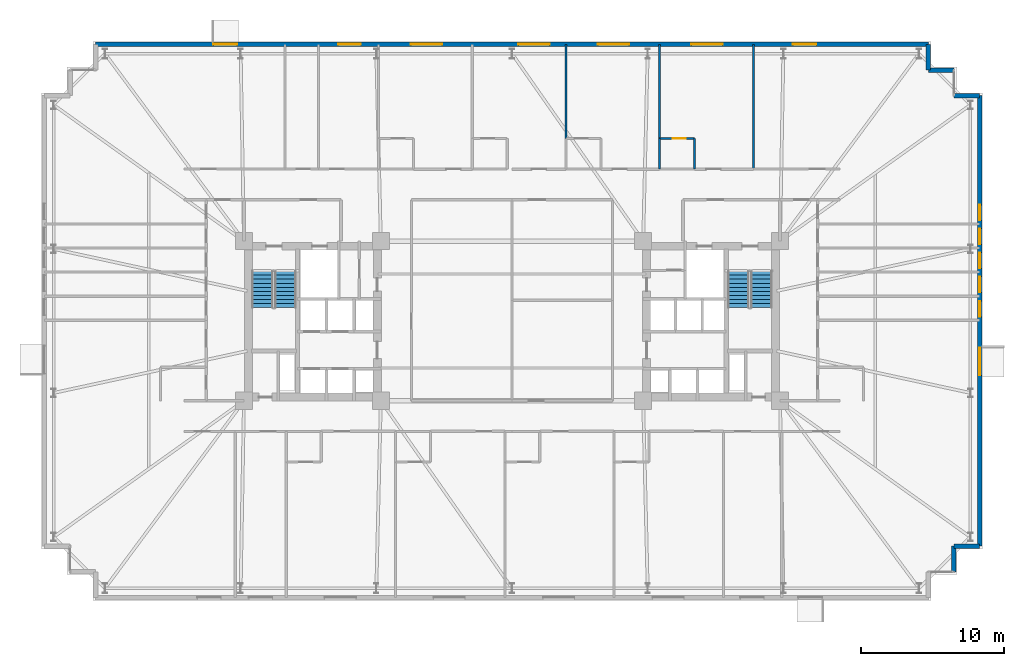
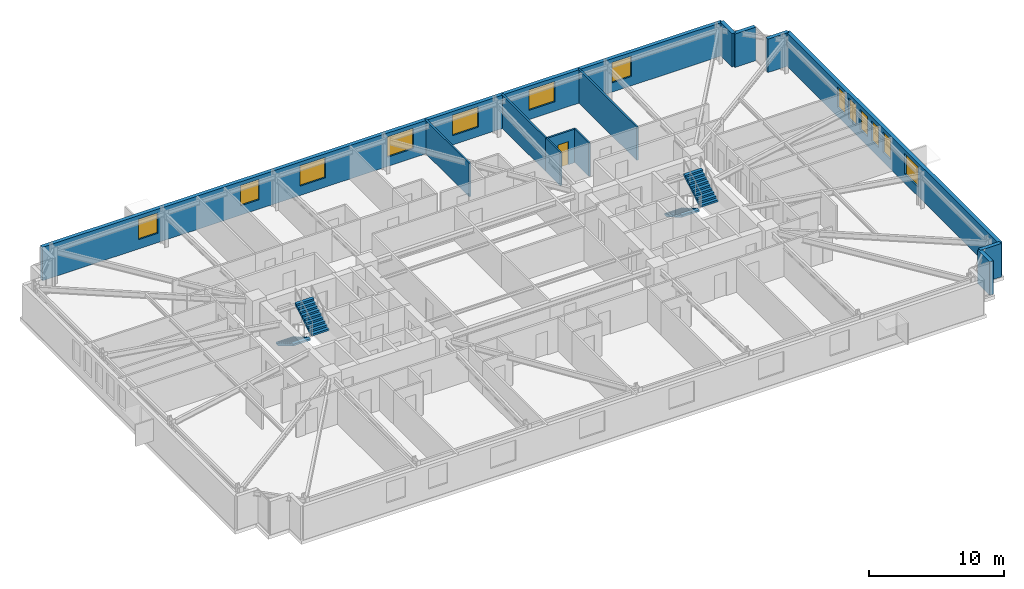
# One storey, part 19 of 21: 13 walls, 13 windows, 4 stair flights, 1 door, 14 openings, 2 elements without a shape of their own.
"""IFC4 building model written with IfcOpenShell, lengths in metres."""

import ifcopenshell
import ifcopenshell.guid

model = None  # the IFC model being written
_history = None  # IfcOwnerHistory: only IFC2X3 demands one
_inside = {}  # id of a spatial element -> (the spatial element, [elements in it])
_under = {}  # id of a project, library or spatial element -> (it, [spatial elements below it])
_declared = {}  # id of a project -> (the project, [libraries it declares])
_typed = {}  # id of a type object -> (the type object, [elements of that type])
_made_of = {}  # id of a material, layer set ... -> (it, [elements and type objects made of it])


def new_model(schema):
    """Start an empty IFC model of exactly this schema.

    Asked for "IFC4X3", IfcOpenShell would pick the latest addendum, in which some entities
    have other attributes; the version numbers below select the first issue.
    IFC2X3 requires an IfcOwnerHistory on every rooted entity: one is made here for all.
    """
    global model, _history
    if schema == "IFC4X3":
        model = ifcopenshell.file(schema_version=(4, 3, 0, 0))
    else:
        model = ifcopenshell.file(schema=schema)
    _inside.clear()
    _under.clear()
    _declared.clear()
    _typed.clear()
    _made_of.clear()
    _history = None
    if model.schema == "IFC2X3":
        org = make("IfcOrganization", Name="unknown")
        user = make(
            "IfcPersonAndOrganization",
            ThePerson=make("IfcPerson", FamilyName="unknown"),
            TheOrganization=org,
        )
        app = make(
            "IfcApplication",
            ApplicationDeveloper=org,
            Version="unknown",
            ApplicationFullName="unknown",
            ApplicationIdentifier="unknown",
        )
        _history = make(
            "IfcOwnerHistory",
            OwningUser=user,
            OwningApplication=app,
            ChangeAction="ADDED",
            CreationDate=0,
        )
    return model


def make(cls, **values):
    """One entity of the class cls with the attributes given. An attribute that is None is left unset."""
    return model.create_entity(
        cls, **{name: value for name, value in values.items() if value is not None}
    )


def rooted(cls, **values):
    """An entity with a GlobalId (a new one), such as an element, a storey or a relation."""
    return make(cls, GlobalId=ifcopenshell.guid.new(), OwnerHistory=_history, **values)


def si_unit(unit_type, name, prefix=None):
    """IfcSIUnit, for example si_unit("LENGTHUNIT", "METRE", prefix="MILLI")."""
    return make("IfcSIUnit", UnitType=unit_type, Prefix=prefix, Name=name)


def assignment(units):
    """IfcUnitAssignment: the units of a project."""
    return None if units is None else make("IfcUnitAssignment", Units=units)


def point(xyz):
    """IfcCartesianPoint."""
    return None if xyz is None else make("IfcCartesianPoint", Coordinates=xyz)


def direction(xyz):
    """IfcDirection."""
    return None if xyz is None else make("IfcDirection", DirectionRatios=xyz)


def frame(location, z_axis=None, x_axis=None):
    """IfcAxis2Placement3D, a coordinate frame: its origin and axes. An axis left out is left unset."""
    return make(
        "IfcAxis2Placement3D",
        Location=point(location),
        Axis=direction(z_axis),
        RefDirection=direction(x_axis),
    )


def frame_2d(location, x_axis=None):
    """IfcAxis2Placement2D, a coordinate frame in the plane: its origin and x axis."""
    return make(
        "IfcAxis2Placement2D", Location=point(location), RefDirection=direction(x_axis)
    )


def origin():
    """The frame at (0, 0, 0) with its axes left unset."""
    return frame((0.0, 0.0, 0.0))


def place(relative_to, where):
    """IfcLocalPlacement: puts the frame where relative to a parent placement (None: the world)."""
    return make(
        "IfcLocalPlacement", PlacementRelTo=relative_to, RelativePlacement=where
    )


def context(
    kind, dimensions, precision=None, world=None, true_north=None, identifier=None
):
    """IfcGeometricRepresentationContext, for example the 3D "Model" context."""
    return make(
        "IfcGeometricRepresentationContext",
        ContextIdentifier=identifier,
        ContextType=kind,
        CoordinateSpaceDimension=dimensions,
        Precision=precision,
        WorldCoordinateSystem=world,
        TrueNorth=true_north,
    )


def subcontext(parent, identifier, kind, view, scale=None):
    """IfcGeometricRepresentationSubContext, for example "Body" below "Model"."""
    return make(
        "IfcGeometricRepresentationSubContext",
        ContextIdentifier=identifier,
        ContextType=kind,
        ParentContext=parent,
        TargetScale=scale,
        TargetView=view,
    )


def project(units=None, contexts=None):
    """IfcProject with its units and contexts."""
    return rooted(
        "IfcProject",
        Name="project",
        RepresentationContexts=contexts,
        UnitsInContext=assignment(units),
    )


def spatial(cls, under=None, at=None, **own):
    """A site, building, storey or space (cls), placed at a placement, below another one or the project."""
    s = rooted(cls, ObjectPlacement=at, **own)
    if under is not None:
        _under.setdefault(under.id(), (under, []))[1].append(s)
    return s


def polyline(points):
    """IfcPolyline through the points."""
    return make("IfcPolyline", Points=[point(p) for p in points])


def profile(cls, at=None, kind="AREA", **sizes):
    """A parametric profile (cls). Its sizes go by their IFC names, for example OverallWidth=200.0."""
    return make(cls, ProfileType=kind, Position=at, **sizes)


def rectangle(**sizes):
    """IfcRectangleProfileDef."""
    return profile("IfcRectangleProfileDef", **sizes)


def outline(outer, holes=None, kind="AREA"):
    """IfcArbitraryClosedProfileDef: a profile drawn as a closed curve; with holes, ...WithVoids."""
    if holes is None:
        return make("IfcArbitraryClosedProfileDef", ProfileType=kind, OuterCurve=outer)
    return make(
        "IfcArbitraryProfileDefWithVoids",
        ProfileType=kind,
        OuterCurve=outer,
        InnerCurves=holes,
    )


def extrude(swept, where, along, depth):
    """IfcExtrudedAreaSolid: the profile swept, set in the frame where, extruded along a direction by depth."""
    return make(
        "IfcExtrudedAreaSolid",
        SweptArea=swept,
        Position=where,
        ExtrudedDirection=direction(along),
        Depth=depth,
    )


def shape(context_of_items, identifier, shape_type, items):
    """IfcShapeRepresentation: the items that make up one representation, for example the "Body"."""
    return make(
        "IfcShapeRepresentation",
        ContextOfItems=context_of_items,
        RepresentationIdentifier=identifier,
        RepresentationType=shape_type,
        Items=items,
    )


def material(Name=None, Category=None):
    """IfcMaterial."""
    return make("IfcMaterial", Name=Name, Category=Category)


def layer(
    of_material, thickness, ventilated=None, Name=None, Category=None, Priority=None
):
    """IfcMaterialLayer: one layer of a wall or slab, of a material (None: an air gap)."""
    return make(
        "IfcMaterialLayer",
        Material=of_material,
        LayerThickness=thickness,
        IsVentilated=ventilated,
        Name=Name,
        Category=Category,
        Priority=Priority,
    )


def layer_set(layers, Name=None):
    """IfcMaterialLayerSet."""
    return make("IfcMaterialLayerSet", MaterialLayers=layers, LayerSetName=Name)


def made_of(thing, what):
    """Note that an element or type object is made of a material, layer set ...; save() writes the relation."""
    if what is not None:
        _made_of.setdefault(what.id(), (what, []))[1].append(thing)
    return thing


def type_object(cls, material=None, **own):
    """A type object (cls), such as IfcWallType, which elements share."""
    return made_of(rooted(cls, **own), material)


def element(
    cls,
    number,
    at=None,
    inside=None,
    cuts=None,
    type_object=None,
    material=None,
    context=None,
    identifier="Body",
    shape_type=None,
    held_by="IfcProductDefinitionShape",
    body=None,
    shapes=None,
    **own,
):
    """One element of the class cls, such as IfcWall. Its Tag is "e" and its number.

    at: its placement. inside: the storey or other place that contains it. cuts: it is an
    opening in that element (IfcRelVoidsElement). A single representation is given by context,
    identifier, shape_type and body (its items); several are given by shapes. held_by: the class
    of the entity that holds the representations. save() writes the other relations.
    """
    e = rooted(cls, Tag="e%d" % number, ObjectPlacement=at, **own)
    if body is not None:
        shapes = [shape(context, identifier, shape_type, body)]
    if shapes is not None:
        e.Representation = make(held_by, Representations=shapes)
    if inside is not None:
        _inside.setdefault(inside.id(), (inside, []))[1].append(e)
    if cuts is not None:
        rooted(
            "IfcRelVoidsElement", RelatingBuildingElement=cuts, RelatedOpeningElement=e
        )
    if type_object is not None:
        _typed.setdefault(type_object.id(), (type_object, []))[1].append(e)
    return made_of(e, material)


def fill(opening, filler):
    """IfcRelFillsElement: the door or window that sits in an opening."""
    return rooted(
        "IfcRelFillsElement",
        RelatingOpeningElement=opening,
        RelatedBuildingElement=filler,
    )


def aggregate(whole, parts):
    """IfcRelAggregates: a whole, such as a stair, and the parts it consists of."""
    return rooted("IfcRelAggregates", RelatingObject=whole, RelatedObjects=parts)


def save(model, path):
    """Write the relations noted so far, then the file.

    IfcRelAggregates (storeys below a building ...), IfcRelContainedInSpatialStructure (elements
    in a storey), IfcRelDefinesByType, IfcRelAssociatesMaterial and IfcRelDeclares: one each for
    every whole, place, type object, material and project.
    """
    for whole, parts in _under.values():
        aggregate(whole, parts)
    for where, things in _inside.values():
        rooted(
            "IfcRelContainedInSpatialStructure",
            RelatedElements=things,
            RelatingStructure=where,
        )
    for kind, things in _typed.values():
        rooted("IfcRelDefinesByType", RelatedObjects=things, RelatingType=kind)
    for what, things in _made_of.values():
        rooted("IfcRelAssociatesMaterial", RelatedObjects=things, RelatingMaterial=what)
    for by, libraries in _declared.values():
        rooted("IfcRelDeclares", RelatingContext=by, RelatedDefinitions=libraries)
    model.write(path)


model = new_model("IFC4")

# Units and contexts
model_context = context("Model", 3, precision=1e-05, world=origin(), true_north=direction((0.0, 1.0)))
body_context = subcontext(model_context, "Body", "Model", "MODEL_VIEW")
ifc_project = project(units=[si_unit("LENGTHUNIT", "METRE"), si_unit("AREAUNIT", "SQUARE_METRE"), si_unit("VOLUMEUNIT", "CUBIC_METRE"), si_unit("PLANEANGLEUNIT", "RADIAN"), si_unit("MASSUNIT", "GRAM", prefix="KILO")], contexts=[model_context])

# Site, building, storey
site_placement = place(None, origin())
site = spatial("IfcSite", under=ifc_project, at=site_placement, CompositionType="ELEMENT")
building_placement = place(site_placement, origin())
building = spatial("IfcBuilding", under=site, at=building_placement, Name="Qobustan Lattice House", CompositionType="ELEMENT")
storey_placement = place(building_placement, frame((0.0, 0.0, 30.35009765625)))
storey = spatial("IfcBuildingStorey", under=building, at=storey_placement, Name="L07", CompositionType="ELEMENT", Elevation=30.35009765625)

# Wall, openings, windows
ifc_material_1 = material(Name="Precast concrete C40/50", Category="concrete")
ifc_layer_1 = layer(ifc_material_1, 0.320068359375)
ifc_layer_set_1 = layer_set([ifc_layer_1], Name="Precast concrete C40/50")
wall_type_1 = type_object("IfcWallType", Name="WAL-EXT-STONE-320", PredefinedType="SOLIDWALL", material=ifc_layer_set_1)
wall_1_placement = place(storey_placement, frame((-29.199951171875, 19.39990234375, 0.0), z_axis=(0.0, 0.0, 1.0), x_axis=(1.0, 0.0, 0.0)))
wall_1 = element("IfcWall", 1, at=wall_1_placement, inside=storey, type_object=wall_type_1, Name="L07 exterior limestone-clad wall 10", PredefinedType="SOLIDWALL", context=body_context, shape_type="SweptSolid", body=[
    extrude(rectangle(XDim=58.39990234375, YDim=0.320068359375, at=frame_2d((29.199951171875, 0.0))), origin(), (0.0, 0.0, 1.0), 3.034912109375),
])
opening_1_placement = place(wall_1_placement, frame((8.261474609375, 0.0, 0.85009765625)))
opening_1 = element("IfcOpeningElement", 2, at=opening_1_placement, cuts=wall_1, Name="Opening WN-09", PredefinedType="OPENING", context=body_context, shape_type="SweptSolid", body=[
    extrude(rectangle(XDim=1.64990234375, YDim=1.85009765625, at=frame_2d((0.824951171875, 0.925048828125))), frame((0.0, 0.169921875, 0.0), z_axis=(0.0, -1.0, 0.0), x_axis=(1.0, 0.0, 0.0)), (0.0, 0.0, 1.0), 0.340087890625),
])
opening_2_placement = place(wall_1_placement, frame((17.0, 0.0, 0.85009765625)))
opening_2 = element("IfcOpeningElement", 3, at=opening_2_placement, cuts=wall_1, Name="Opening WN-13", PredefinedType="OPENING", context=body_context, shape_type="SweptSolid", body=[
    extrude(rectangle(XDim=1.60009765625, YDim=1.85009765625, at=frame_2d((0.800048828125, 0.925048828125))), frame((0.0, 0.169921875, 0.0), z_axis=(0.0, -1.0, 0.0), x_axis=(1.0, 0.0, 0.0)), (0.0, 0.0, 1.0), 0.340087890625),
])
opening_3_placement = place(wall_1_placement, frame((22.10009765625, 0.0, 0.85009765625)))
opening_3 = element("IfcOpeningElement", 4, at=opening_3_placement, cuts=wall_1, Name="Opening WN-03", PredefinedType="OPENING", context=body_context, shape_type="SweptSolid", body=[
    extrude(rectangle(XDim=2.199951171875, YDim=1.85009765625, at=frame_2d((1.10009765625, 0.925048828125))), frame((0.0, 0.169921875, 0.0), z_axis=(0.0, -1.0, 0.0), x_axis=(1.0, 0.0, 0.0)), (0.0, 0.0, 1.0), 0.340087890625),
])
opening_4_placement = place(wall_1_placement, frame((29.639892578125, 0.0, 0.85009765625)))
opening_4 = element("IfcOpeningElement", 5, at=opening_4_placement, cuts=wall_1, Name="Opening WN-03", PredefinedType="OPENING", context=body_context, shape_type="SweptSolid", body=[
    extrude(rectangle(XDim=2.199951171875, YDim=1.85009765625, at=frame_2d((1.10009765625, 0.925048828125))), frame((0.0, 0.169921875, 0.0), z_axis=(0.0, -1.0, 0.0), x_axis=(1.0, 0.0, 0.0)), (0.0, 0.0, 1.0), 0.340087890625),
])
opening_5_placement = place(wall_1_placement, frame((35.219970703125, 0.0, 0.85009765625)))
opening_5 = element("IfcOpeningElement", 6, at=opening_5_placement, cuts=wall_1, Name="Opening WN-03", PredefinedType="OPENING", context=body_context, shape_type="SweptSolid", body=[
    extrude(rectangle(XDim=2.199951171875, YDim=1.85009765625, at=frame_2d((1.10009765625, 0.925048828125))), frame((0.0, 0.169921875, 0.0), z_axis=(0.0, -1.0, 0.0), x_axis=(1.0, 0.0, 0.0)), (0.0, 0.0, 1.0), 0.340087890625),
])
opening_6_placement = place(wall_1_placement, frame((41.780029296875, 0.0, 0.85009765625)))
opening_6 = element("IfcOpeningElement", 7, at=opening_6_placement, cuts=wall_1, Name="Opening WN-03", PredefinedType="OPENING", context=body_context, shape_type="SweptSolid", body=[
    extrude(rectangle(XDim=2.199951171875, YDim=1.85009765625, at=frame_2d((1.10009765625, 0.925048828125))), frame((0.0, 0.169921875, 0.0), z_axis=(0.0, -1.0, 0.0), x_axis=(1.0, 0.0, 0.0)), (0.0, 0.0, 1.0), 0.340087890625),
])
opening_7_placement = place(wall_1_placement, frame((48.904541015625, 0.0, 0.85009765625)))
opening_7 = element("IfcOpeningElement", 8, at=opening_7_placement, cuts=wall_1, Name="Opening WN-09", PredefinedType="OPENING", context=body_context, shape_type="SweptSolid", body=[
    extrude(rectangle(XDim=1.64990234375, YDim=1.85009765625, at=frame_2d((0.824951171875, 0.925048828125))), frame((0.0, 0.169921875, 0.0), z_axis=(0.0, -1.0, 0.0), x_axis=(1.0, 0.0, 0.0)), (0.0, 0.0, 1.0), 0.340087890625),
])
ifc_material_2 = material(Name="Double-glazed low-E aluminium window", Category="aluminium")
window_type_1 = type_object("IfcWindowType", Name="WIN-BED-1600x1850", PartitioningType="SINGLE_PANEL", PredefinedType="WINDOW", material=ifc_material_2)
window_1_placement = place(opening_2_placement, origin())
window_1 = element("IfcWindow", 9, at=window_1_placement, inside=storey, type_object=window_type_1, Name="L07 Laundry utility room window", OverallHeight=1.85009765625, OverallWidth=1.60009765625, PartitioningType="SINGLE_PANEL", PredefinedType="WINDOW", context=body_context, shape_type="SweptSolid", body=[
    extrude(rectangle(XDim=1.60009765625, YDim=1.85009765625, at=frame_2d((0.800048828125, 0.925048828125))), frame((0.0, 0.030029296875, 0.0), z_axis=(0.0, -1.0, 0.0), x_axis=(1.0, 0.0, 0.0)), (0.0, 0.0, 1.0), 0.06005859375),
])
fill(opening_2, window_1)
ifc_material_3 = material(Name="Double-glazed low-E aluminium window", Category="aluminium")
window_type_2 = type_object("IfcWindowType", Name="WIN-STU-1650x1850", PartitioningType="SINGLE_PANEL", PredefinedType="WINDOW", material=ifc_material_3)
window_2_placement = place(opening_1_placement, origin())
window_2 = element("IfcWindow", 10, at=window_2_placement, inside=storey, type_object=window_type_2, Name="L07 Focus study room N1 window", OverallHeight=1.85009765625, OverallWidth=1.64990234375, PartitioningType="SINGLE_PANEL", PredefinedType="WINDOW", context=body_context, shape_type="SweptSolid", body=[
    extrude(rectangle(XDim=1.64990234375, YDim=1.85009765625, at=frame_2d((0.824951171875, 0.925048828125))), frame((0.0, 0.030029296875, 0.0), z_axis=(0.0, -1.0, 0.0), x_axis=(1.0, 0.0, 0.0)), (0.0, 0.0, 1.0), 0.06005859375),
])
fill(opening_1, window_2)
window_3_placement = place(opening_7_placement, origin())
window_3 = element("IfcWindow", 11, at=window_3_placement, inside=storey, type_object=window_type_2, Name="L07 Focus study room N7 window", OverallHeight=1.85009765625, OverallWidth=1.64990234375, PartitioningType="SINGLE_PANEL", PredefinedType="WINDOW", context=body_context, shape_type="SweptSolid", body=[
    extrude(rectangle(XDim=1.64990234375, YDim=1.85009765625, at=frame_2d((0.824951171875, 0.925048828125))), frame((0.0, 0.030029296875, 0.0), z_axis=(0.0, -1.0, 0.0), x_axis=(1.0, 0.0, 0.0)), (0.0, 0.0, 1.0), 0.06005859375),
])
fill(opening_7, window_3)
ifc_material_4 = material(Name="Double-glazed low-E aluminium window", Category="aluminium")
window_type_3 = type_object("IfcWindowType", Name="WIN-WIDE-2200x1850", PartitioningType="SINGLE_PANEL", PredefinedType="WINDOW", material=ifc_material_4)
window_4_placement = place(opening_3_placement, origin())
window_4 = element("IfcWindow", 12, at=window_4_placement, inside=storey, type_object=window_type_3, Name="L07 Kitchenette and studio apartment L07-N3 window", OverallHeight=1.85009765625, OverallWidth=2.199951171875, PartitioningType="SINGLE_PANEL", PredefinedType="WINDOW", context=body_context, shape_type="SweptSolid", body=[
    extrude(rectangle(XDim=2.199951171875, YDim=1.85009765625, at=frame_2d((1.10009765625, 0.925048828125))), frame((0.0, 0.030029296875, 0.0), z_axis=(0.0, -1.0, 0.0), x_axis=(1.0, 0.0, 0.0)), (0.0, 0.0, 1.0), 0.06005859375),
])
fill(opening_3, window_4)
window_5_placement = place(opening_4_placement, origin())
window_5 = element("IfcWindow", 13, at=window_5_placement, inside=storey, type_object=window_type_3, Name="L07 Kitchenette and studio apartment L07-N4 window", OverallHeight=1.85009765625, OverallWidth=2.199951171875, PartitioningType="SINGLE_PANEL", PredefinedType="WINDOW", context=body_context, shape_type="SweptSolid", body=[
    extrude(rectangle(XDim=2.199951171875, YDim=1.85009765625, at=frame_2d((1.10009765625, 0.925048828125))), frame((0.0, 0.030029296875, 0.0), z_axis=(0.0, -1.0, 0.0), x_axis=(1.0, 0.0, 0.0)), (0.0, 0.0, 1.0), 0.06005859375),
])
fill(opening_4, window_5)
window_6_placement = place(opening_5_placement, origin())
window_6 = element("IfcWindow", 14, at=window_6_placement, inside=storey, type_object=window_type_3, Name="L07 Kitchenette and studio apartment L07-N5 window", OverallHeight=1.85009765625, OverallWidth=2.199951171875, PartitioningType="SINGLE_PANEL", PredefinedType="WINDOW", context=body_context, shape_type="SweptSolid", body=[
    extrude(rectangle(XDim=2.199951171875, YDim=1.85009765625, at=frame_2d((1.10009765625, 0.925048828125))), frame((0.0, 0.030029296875, 0.0), z_axis=(0.0, -1.0, 0.0), x_axis=(1.0, 0.0, 0.0)), (0.0, 0.0, 1.0), 0.06005859375),
])
fill(opening_5, window_6)
window_7_placement = place(opening_6_placement, origin())
window_7 = element("IfcWindow", 15, at=window_7_placement, inside=storey, type_object=window_type_3, Name="L07 Kitchenette and studio apartment L07-N6 window", OverallHeight=1.85009765625, OverallWidth=2.199951171875, PartitioningType="SINGLE_PANEL", PredefinedType="WINDOW", context=body_context, shape_type="SweptSolid", body=[
    extrude(rectangle(XDim=2.199951171875, YDim=1.85009765625, at=frame_2d((1.10009765625, 0.925048828125))), frame((0.0, 0.030029296875, 0.0), z_axis=(0.0, -1.0, 0.0), x_axis=(1.0, 0.0, 0.0)), (0.0, 0.0, 1.0), 0.06005859375),
])
fill(opening_6, window_7)

# Walls
wall_2_placement = place(storey_placement, frame((29.199951171875, 19.39990234375, 0.0), z_axis=(0.0, 0.0, 1.0), x_axis=(0.0, -1.0, 0.0)))
element("IfcWall", 16, at=wall_2_placement, inside=storey, type_object=wall_type_1, Name="L07 exterior limestone-clad wall 11", PredefinedType="SOLIDWALL", context=body_context, shape_type="SweptSolid", body=[
    extrude(rectangle(XDim=1.7998046875, YDim=0.320068359375, at=frame_2d((0.89990234375, 0.0))), origin(), (0.0, 0.0, 1.0), 3.034912109375),
])
for number, where, z_axis, x_axis, name in (
    (17, (29.199951171875, 17.60009765625, 0.0), (0.0, 0.0, 1.0), (1.0, 0.0, 0.0), "L07 exterior limestone-clad wall 12"),
    (18, (31.0, 15.800048828125, 0.0), (0.0, 0.0, 1.0), (1.0, 0.0, 0.0), "L07 exterior limestone-clad wall 14"),
):
    element("IfcWall", number, at=place(storey_placement, frame(where, z_axis=z_axis, x_axis=x_axis)), inside=storey, type_object=wall_type_1, Name=name, PredefinedType="SOLIDWALL", context=body_context, shape_type="SweptSolid", body=[
        extrude(rectangle(XDim=1.800048828125, YDim=0.320068359375, at=frame_2d((0.89990234375, 0.0))), origin(), (0.0, 0.0, 1.0), 3.034912109375),
    ])

# Wall, openings, windows
wall_3_placement = place(storey_placement, frame((32.800048828125, 15.800048828125, 0.0), z_axis=(0.0, 0.0, 1.0), x_axis=(0.0, -1.0, 0.0)))
wall_3 = element("IfcWall", 19, at=wall_3_placement, inside=storey, type_object=wall_type_1, Name="L07 exterior limestone-clad wall 15", PredefinedType="SOLIDWALL", context=body_context, shape_type="SweptSolid", body=[
    extrude(rectangle(XDim=31.60009765625, YDim=0.320068359375, at=frame_2d((15.800048828125, 0.0))), origin(), (0.0, 0.0, 1.0), 3.034912109375),
])
opening_8_placement = place(wall_3_placement, frame((7.64990234375, 0.0, 0.85009765625)))
opening_8 = element("IfcOpeningElement", 20, at=opening_8_placement, cuts=wall_3, Name="Opening WN-04", PredefinedType="OPENING", context=body_context, shape_type="SweptSolid", body=[
    extrude(rectangle(XDim=1.10009765625, YDim=1.85009765625, at=frame_2d((0.550048828125, 0.925048828125))), frame((0.0, 0.169921875, 0.0), z_axis=(0.0, -1.0, 0.0), x_axis=(1.0, 0.0, 0.0)), (0.0, 0.0, 1.0), 0.340087890625),
])
opening_9_placement = place(wall_3_placement, frame((9.330078125, 0.0, 0.85009765625)))
opening_9 = element("IfcOpeningElement", 21, at=opening_9_placement, cuts=wall_3, Name="Opening WN-04", PredefinedType="OPENING", context=body_context, shape_type="SweptSolid", body=[
    extrude(rectangle(XDim=1.10009765625, YDim=1.85009765625, at=frame_2d((0.550048828125, 0.925048828125))), frame((0.0, 0.169921875, 0.0), z_axis=(0.0, -1.0, 0.0), x_axis=(1.0, 0.0, 0.0)), (0.0, 0.0, 1.0), 0.340087890625),
])
opening_10_placement = place(wall_3_placement, frame((11.010009765625, 0.0, 0.85009765625)))
opening_10 = element("IfcOpeningElement", 22, at=opening_10_placement, cuts=wall_3, Name="Opening WN-04", PredefinedType="OPENING", context=body_context, shape_type="SweptSolid", body=[
    extrude(rectangle(XDim=1.10009765625, YDim=1.85009765625, at=frame_2d((0.550048828125, 0.925048828125))), frame((0.0, 0.169921875, 0.0), z_axis=(0.0, -1.0, 0.0), x_axis=(1.0, 0.0, 0.0)), (0.0, 0.0, 1.0), 0.340087890625),
])
opening_11_placement = place(wall_3_placement, frame((12.68994140625, 0.0, 0.85009765625)))
opening_11 = element("IfcOpeningElement", 23, at=opening_11_placement, cuts=wall_3, Name="Opening WN-04", PredefinedType="OPENING", context=body_context, shape_type="SweptSolid", body=[
    extrude(rectangle(XDim=1.10009765625, YDim=1.85009765625, at=frame_2d((0.550048828125, 0.925048828125))), frame((0.0, 0.169921875, 0.0), z_axis=(0.0, -1.0, 0.0), x_axis=(1.0, 0.0, 0.0)), (0.0, 0.0, 1.0), 0.340087890625),
])
opening_12_placement = place(wall_3_placement, frame((14.409912109375, 0.0, 0.85009765625)))
opening_12 = element("IfcOpeningElement", 24, at=opening_12_placement, cuts=wall_3, Name="Opening WN-04", PredefinedType="OPENING", context=body_context, shape_type="SweptSolid", body=[
    extrude(rectangle(XDim=1.10009765625, YDim=1.85009765625, at=frame_2d((0.550048828125, 0.925048828125))), frame((0.0, 0.169921875, 0.0), z_axis=(0.0, -1.0, 0.0), x_axis=(1.0, 0.0, 0.0)), (0.0, 0.0, 1.0), 0.340087890625),
])
opening_13_placement = place(wall_3_placement, frame((17.6650390625, 0.0, 0.85009765625)))
opening_13 = element("IfcOpeningElement", 25, at=opening_13_placement, cuts=wall_3, Name="Opening WN-08", PredefinedType="OPENING", context=body_context, shape_type="SweptSolid", body=[
    extrude(rectangle(XDim=1.949951171875, YDim=1.85009765625, at=frame_2d((0.97509765625, 0.925048828125))), frame((0.0, 0.169921875, 0.0), z_axis=(0.0, -1.0, 0.0), x_axis=(1.0, 0.0, 0.0)), (0.0, 0.0, 1.0), 0.340087890625),
])
ifc_material_5 = material(Name="Double-glazed low-E aluminium window", Category="aluminium")
window_type_4 = type_object("IfcWindowType", Name="WIN-KIT-1950x1850", PartitioningType="SINGLE_PANEL", PredefinedType="WINDOW", material=ifc_material_5)
window_8_placement = place(opening_13_placement, origin())
window_8 = element("IfcWindow", 26, at=window_8_placement, inside=storey, type_object=window_type_4, Name="L07 Shared kitchen L07E window", OverallHeight=1.85009765625, OverallWidth=1.949951171875, PartitioningType="SINGLE_PANEL", PredefinedType="WINDOW", context=body_context, shape_type="SweptSolid", body=[
    extrude(rectangle(XDim=1.949951171875, YDim=1.85009765625, at=frame_2d((0.97509765625, 0.925048828125))), frame((0.0, 0.030029296875, 0.0), z_axis=(0.0, -1.0, 0.0), x_axis=(1.0, 0.0, 0.0)), (0.0, 0.0, 1.0), 0.06005859375),
])
fill(opening_13, window_8)
ifc_material_6 = material(Name="Double-glazed low-E aluminium window", Category="aluminium")
window_type_5 = type_object("IfcWindowType", Name="WIN-NAR-1100x1850", PartitioningType="SINGLE_PANEL", PredefinedType="WINDOW", material=ifc_material_6)
window_9_placement = place(opening_8_placement, origin())
window_9 = element("IfcWindow", 27, at=window_9_placement, inside=storey, type_object=window_type_5, Name="L07 Cluster bedroom L07E5 window", OverallHeight=1.85009765625, OverallWidth=1.10009765625, PartitioningType="SINGLE_PANEL", PredefinedType="WINDOW", context=body_context, shape_type="SweptSolid", body=[
    extrude(rectangle(XDim=1.10009765625, YDim=1.85009765625, at=frame_2d((0.550048828125, 0.925048828125))), frame((0.0, 0.030029296875, 0.0), z_axis=(0.0, -1.0, 0.0), x_axis=(1.0, 0.0, 0.0)), (0.0, 0.0, 1.0), 0.06005859375),
])
fill(opening_8, window_9)
window_10_placement = place(opening_9_placement, origin())
window_10 = element("IfcWindow", 28, at=window_10_placement, inside=storey, type_object=window_type_5, Name="L07 Cluster bedroom L07E4 window", OverallHeight=1.85009765625, OverallWidth=1.10009765625, PartitioningType="SINGLE_PANEL", PredefinedType="WINDOW", context=body_context, shape_type="SweptSolid", body=[
    extrude(rectangle(XDim=1.10009765625, YDim=1.85009765625, at=frame_2d((0.550048828125, 0.925048828125))), frame((0.0, 0.030029296875, 0.0), z_axis=(0.0, -1.0, 0.0), x_axis=(1.0, 0.0, 0.0)), (0.0, 0.0, 1.0), 0.06005859375),
])
fill(opening_9, window_10)
window_11_placement = place(opening_10_placement, origin())
window_11 = element("IfcWindow", 29, at=window_11_placement, inside=storey, type_object=window_type_5, Name="L07 Cluster bedroom L07E3 window", OverallHeight=1.85009765625, OverallWidth=1.10009765625, PartitioningType="SINGLE_PANEL", PredefinedType="WINDOW", context=body_context, shape_type="SweptSolid", body=[
    extrude(rectangle(XDim=1.10009765625, YDim=1.85009765625, at=frame_2d((0.550048828125, 0.925048828125))), frame((0.0, 0.030029296875, 0.0), z_axis=(0.0, -1.0, 0.0), x_axis=(1.0, 0.0, 0.0)), (0.0, 0.0, 1.0), 0.06005859375),
])
fill(opening_10, window_11)
window_12_placement = place(opening_11_placement, origin())
window_12 = element("IfcWindow", 30, at=window_12_placement, inside=storey, type_object=window_type_5, Name="L07 Cluster bedroom L07E2 window", OverallHeight=1.85009765625, OverallWidth=1.10009765625, PartitioningType="SINGLE_PANEL", PredefinedType="WINDOW", context=body_context, shape_type="SweptSolid", body=[
    extrude(rectangle(XDim=1.10009765625, YDim=1.85009765625, at=frame_2d((0.550048828125, 0.925048828125))), frame((0.0, 0.030029296875, 0.0), z_axis=(0.0, -1.0, 0.0), x_axis=(1.0, 0.0, 0.0)), (0.0, 0.0, 1.0), 0.06005859375),
])
fill(opening_11, window_12)
window_13_placement = place(opening_12_placement, origin())
window_13 = element("IfcWindow", 31, at=window_13_placement, inside=storey, type_object=window_type_5, Name="L07 Cluster bedroom L07E1 window", OverallHeight=1.85009765625, OverallWidth=1.10009765625, PartitioningType="SINGLE_PANEL", PredefinedType="WINDOW", context=body_context, shape_type="SweptSolid", body=[
    extrude(rectangle(XDim=1.10009765625, YDim=1.85009765625, at=frame_2d((0.550048828125, 0.925048828125))), frame((0.0, 0.030029296875, 0.0), z_axis=(0.0, -1.0, 0.0), x_axis=(1.0, 0.0, 0.0)), (0.0, 0.0, 1.0), 0.06005859375),
])
fill(opening_12, window_13)

# Walls
for number, where, z_axis, x_axis, name in (
    (32, (32.800048828125, -15.800048828125, 0.0), (0.0, 0.0, 1.0), (-1.0, 0.0, 0.0), "L07 exterior limestone-clad wall 16"),
    (33, (31.0, -15.800048828125, 0.0), (0.0, 0.0, 1.0), (0.0, -1.0, 0.0), "L07 exterior limestone-clad wall 17"),
):
    element("IfcWall", number, at=place(storey_placement, frame(where, z_axis=z_axis, x_axis=x_axis)), inside=storey, type_object=wall_type_1, Name=name, PredefinedType="SOLIDWALL", context=body_context, shape_type="SweptSolid", body=[
        extrude(rectangle(XDim=1.800048828125, YDim=0.320068359375, at=frame_2d((0.89990234375, 0.0))), origin(), (0.0, 0.0, 1.0), 3.034912109375),
    ])
ifc_material_7 = material(Name="Acoustic twin-stud gypsum partition", Category="gypsum")
ifc_layer_2 = layer(ifc_material_7, 0.14990234375)
ifc_layer_set_2 = layer_set([ifc_layer_2], Name="Acoustic twin-stud gypsum partition")
wall_type_2 = type_object("IfcWallType", Name="WAL-PART-150", PredefinedType="PARTITIONING", material=ifc_layer_set_2)
for number, where, z_axis, x_axis, name in (
    (34, (3.785888671875, 19.39990234375, 0.0), (0.0, 0.0, 1.0), (0.0, -1.0, 0.0), "L07 interior partition 116"),
    (35, (10.35693359375, 19.39990234375, 0.0), (0.0, 0.0, 1.0), (0.0, -1.0, 0.0), "L07 interior partition 120"),
):
    element("IfcWall", number, at=place(storey_placement, frame(where, z_axis=z_axis, x_axis=x_axis)), inside=storey, type_object=wall_type_2, Name=name, PredefinedType="PARTITIONING", context=body_context, shape_type="SweptSolid", body=[
        extrude(rectangle(XDim=6.599853515625, YDim=0.14990234375, at=frame_2d((3.2998046875, 0.0))), origin(), (0.0, 0.0, 1.0), 3.034912109375),
    ])
wall_4_placement = place(storey_placement, frame((16.928955078125, 19.39990234375, 0.0), z_axis=(0.0, 0.0, 1.0), x_axis=(0.0, -1.0, 0.0)))
element("IfcWall", 36, at=wall_4_placement, inside=storey, type_object=wall_type_2, Name="L07 interior partition 124", PredefinedType="PARTITIONING", context=body_context, shape_type="SweptSolid", body=[
    extrude(rectangle(XDim=8.75, YDim=0.14990234375, at=frame_2d((4.375, 0.0))), origin(), (0.0, 0.0, 1.0), 3.034912109375),
])
ifc_material_8 = material(Name="Moisture-resistant acoustic plumbing wall", Category="gypsum")
ifc_layer_3 = layer(ifc_material_8, 0.14990234375)
ifc_layer_set_3 = layer_set([ifc_layer_3], Name="Moisture-resistant acoustic plumbing wall")
wall_type_3 = type_object("IfcWallType", Name="WAL-WET-150", PredefinedType="PLUMBINGWALL", material=ifc_layer_set_3)
wall_5_placement = place(storey_placement, frame((10.35693359375, 12.800048828125, 0.0), z_axis=(0.0, 0.0, 1.0), x_axis=(0.0, -1.0, 0.0)))
element("IfcWall", 37, at=wall_5_placement, inside=storey, type_object=wall_type_3, Name="L07 interior partition 121", PredefinedType="PLUMBINGWALL", context=body_context, shape_type="SweptSolid", body=[
    extrude(rectangle(XDim=2.150146484375, YDim=0.14990234375, at=frame_2d((1.0751953125, 0.0))), origin(), (0.0, 0.0, 1.0), 3.034912109375),
])

# Wall, opening, door
wall_6_placement = place(storey_placement, frame((12.806884765625, 12.800048828125, 0.0), z_axis=(0.0, 0.0, 1.0), x_axis=(-1.0, 0.0, 0.0)))
wall_6 = element("IfcWall", 38, at=wall_6_placement, inside=storey, type_object=wall_type_3, Name="L07 interior partition 122", PredefinedType="PLUMBINGWALL", context=body_context, shape_type="SweptSolid", body=[
    extrude(rectangle(XDim=2.449951171875, YDim=0.14990234375, at=frame_2d((1.22509765625, 0.0))), origin(), (0.0, 0.0, 1.0), 3.034912109375),
])
opening_14_placement = place(wall_6_placement, frame((0.62890625, 0.0, 0.0)))
opening_14 = element("IfcOpeningElement", 39, at=opening_14_placement, cuts=wall_6, Name="Opening WD-01", PredefinedType="OPENING", context=body_context, shape_type="SweptSolid", body=[
    extrude(rectangle(XDim=0.89990234375, YDim=2.10009765625, at=frame_2d((0.449951171875, 1.050048828125))), frame((0.0, 0.0849609375, 0.0), z_axis=(0.0, -1.0, 0.0), x_axis=(1.0, 0.0, 0.0)), (0.0, 0.0, 1.0), 0.169921875),
])
ifc_material_9 = material(Name="Persian walnut timber and steel frame door", Category="steel")
door_type = type_object("IfcDoorType", Name="DOR-WET-900x2100", OperationType="NOTDEFINED", PredefinedType="DOOR", material=ifc_material_9)
door_placement = place(opening_14_placement, origin())
door = element("IfcDoor", 40, at=door_placement, inside=storey, type_object=door_type, Name="L07 Kitchenette and studio apartment L07-N6 to En-suite bathroom L07-N6 door", OperationType="SINGLE_SWING_RIGHT", OverallHeight=2.10009765625, OverallWidth=0.89990234375, PredefinedType="DOOR", context=body_context, shape_type="SweptSolid", body=[
    extrude(rectangle(XDim=0.89990234375, YDim=2.10009765625, at=frame_2d((0.449951171875, 1.050048828125))), frame((0.0, 0.02490234375, 0.0), z_axis=(0.0, -1.0, 0.0), x_axis=(1.0, 0.0, 0.0)), (0.0, 0.0, 1.0), 0.050048828125),
])
fill(opening_14, door)

# Wall
wall_7_placement = place(storey_placement, frame((12.806884765625, 10.64990234375, 0.0), z_axis=(0.0, 0.0, 1.0), x_axis=(0.0, 1.0, 0.0)))
element("IfcWall", 41, at=wall_7_placement, inside=storey, type_object=wall_type_3, Name="L07 interior partition 123", PredefinedType="PLUMBINGWALL", context=body_context, shape_type="SweptSolid", body=[
    extrude(rectangle(XDim=2.150146484375, YDim=0.14990234375, at=frame_2d((1.0751953125, 0.0))), origin(), (0.0, 0.0, 1.0), 3.034912109375),
])

# Stair, stair flights
ifc_material_10 = material(Name="Concrete C40/50", Category="concrete")
stair_type = type_object("IfcStairType", Name="STR-CORE-DOGLEG", PredefinedType="HALF_TURN_STAIR", material=ifc_material_10)
stair_1_placement = place(storey_placement, origin())
stair_1 = element("IfcStair", 42, at=stair_1_placement, inside=storey, type_object=stair_type, Name="L07 West protected exit stair ST-W1", PredefinedType="HALF_TURN_STAIR")
ifc_material_11 = material(Name="Concrete C40/50", Category="concrete")
stair_flight_type = type_object("IfcStairFlightType", Name="SFL-RC-1500", PredefinedType="STRAIGHT", material=ifc_material_11)
stair_flight_1_placement = place(storey_placement, frame((-17.5, 3.5, 0.0), z_axis=(0.0, 0.0, 1.0), x_axis=(0.0, -1.0, 0.0)))
stair_flight_1 = element("IfcStairFlight", 43, at=stair_flight_1_placement, type_object=stair_flight_type, Name="ST-W1 flight 1", NumberOfRisers=10, NumberOfTreads=9, PredefinedType="STRAIGHT", RiserHeight=0.1675, TreadLength=0.285, context=body_context, shape_type="SweptSolid", body=[
    extrude(outline(polyline([(0.0, 0.0), (0.0, 0.16748046875), (0.284912109375, 0.16748046875), (0.284912109375, 0.3349609375), (0.570068359375, 0.3349609375), (0.570068359375, 0.50244140625), (0.85498046875, 0.50244140625), (0.85498046875, 0.669921875), (1.139892578125, 0.669921875), (1.139892578125, 0.83740234375), (1.425048828125, 0.83740234375), (1.425048828125, 1.0048828125), (1.7099609375, 1.0048828125), (1.7099609375, 1.172607421875), (1.9951171875, 1.172607421875), (1.9951171875, 1.340087890625), (2.280029296875, 1.340087890625), (2.280029296875, 1.507568359375), (2.56494140625, 1.507568359375), (2.56494140625, 1.675048828125), (2.56494140625, 1.333740234375), (0.2958984375, 0.0), (0.0, 0.0)])), frame((0.0, 0.75, 0.0), z_axis=(0.0, -1.0, 0.0), x_axis=(1.0, 0.0, 0.0)), (0.0, 0.0, 1.0), 1.5),
])
stair_flight_2_placement = place(storey_placement, frame((-15.8798828125, 0.93505859375, 1.6748046875), z_axis=(0.0, 0.0, 1.0), x_axis=(0.0, 1.0, 0.0)))
stair_flight_2 = element("IfcStairFlight", 44, at=stair_flight_2_placement, type_object=stair_flight_type, Name="ST-W1 flight 2", NumberOfRisers=10, NumberOfTreads=9, PredefinedType="STRAIGHT", RiserHeight=0.1675, TreadLength=0.285, context=body_context, shape_type="SweptSolid", body=[
    extrude(outline(polyline([(0.0, 0.0), (0.0, 0.16748046875), (0.284912109375, 0.16748046875), (0.284912109375, 0.3349609375), (0.570068359375, 0.3349609375), (0.570068359375, 0.50244140625), (0.85498046875, 0.50244140625), (0.85498046875, 0.669921875), (1.139892578125, 0.669921875), (1.139892578125, 0.83740234375), (1.425048828125, 0.83740234375), (1.425048828125, 1.0048828125), (1.7099609375, 1.0048828125), (1.7099609375, 1.172607421875), (1.9951171875, 1.172607421875), (1.9951171875, 1.340087890625), (2.280029296875, 1.340087890625), (2.280029296875, 1.507568359375), (2.56494140625, 1.507568359375), (2.56494140625, 1.675048828125), (2.56494140625, 1.333740234375), (0.2958984375, 0.0), (0.0, 0.0)])), frame((0.0, 0.75, 0.0), z_axis=(0.0, -1.0, 0.0), x_axis=(1.0, 0.0, 0.0)), (0.0, 0.0, 1.0), 1.5),
])
aggregate(stair_1, [stair_flight_1, stair_flight_2])

stair_2_placement = place(storey_placement, origin())
stair_2 = element("IfcStair", 45, at=stair_2_placement, inside=storey, type_object=stair_type, Name="L07 East protected exit stair ST-E1", PredefinedType="HALF_TURN_STAIR")
stair_flight_3_placement = place(storey_placement, frame((15.8798828125, 3.5, 0.0), z_axis=(0.0, 0.0, 1.0), x_axis=(0.0, -1.0, 0.0)))
stair_flight_3 = element("IfcStairFlight", 46, at=stair_flight_3_placement, type_object=stair_flight_type, Name="ST-E1 flight 1", NumberOfRisers=10, NumberOfTreads=9, PredefinedType="STRAIGHT", RiserHeight=0.1675, TreadLength=0.285, context=body_context, shape_type="SweptSolid", body=[
    extrude(outline(polyline([(0.0, 0.0), (0.0, 0.16748046875), (0.284912109375, 0.16748046875), (0.284912109375, 0.3349609375), (0.570068359375, 0.3349609375), (0.570068359375, 0.50244140625), (0.85498046875, 0.50244140625), (0.85498046875, 0.669921875), (1.139892578125, 0.669921875), (1.139892578125, 0.83740234375), (1.425048828125, 0.83740234375), (1.425048828125, 1.0048828125), (1.7099609375, 1.0048828125), (1.7099609375, 1.172607421875), (1.9951171875, 1.172607421875), (1.9951171875, 1.340087890625), (2.280029296875, 1.340087890625), (2.280029296875, 1.507568359375), (2.56494140625, 1.507568359375), (2.56494140625, 1.675048828125), (2.56494140625, 1.333740234375), (0.2958984375, 0.0), (0.0, 0.0)])), frame((0.0, 0.75, 0.0), z_axis=(0.0, -1.0, 0.0), x_axis=(1.0, 0.0, 0.0)), (0.0, 0.0, 1.0), 1.5),
])
stair_flight_4_placement = place(storey_placement, frame((17.5, 0.93505859375, 1.6748046875), z_axis=(0.0, 0.0, 1.0), x_axis=(0.0, 1.0, 0.0)))
stair_flight_4 = element("IfcStairFlight", 47, at=stair_flight_4_placement, type_object=stair_flight_type, Name="ST-E1 flight 2", NumberOfRisers=10, NumberOfTreads=9, PredefinedType="STRAIGHT", RiserHeight=0.1675, TreadLength=0.285, context=body_context, shape_type="SweptSolid", body=[
    extrude(outline(polyline([(0.0, 0.0), (0.0, 0.16748046875), (0.284912109375, 0.16748046875), (0.284912109375, 0.3349609375), (0.570068359375, 0.3349609375), (0.570068359375, 0.50244140625), (0.85498046875, 0.50244140625), (0.85498046875, 0.669921875), (1.139892578125, 0.669921875), (1.139892578125, 0.83740234375), (1.425048828125, 0.83740234375), (1.425048828125, 1.0048828125), (1.7099609375, 1.0048828125), (1.7099609375, 1.172607421875), (1.9951171875, 1.172607421875), (1.9951171875, 1.340087890625), (2.280029296875, 1.340087890625), (2.280029296875, 1.507568359375), (2.56494140625, 1.507568359375), (2.56494140625, 1.675048828125), (2.56494140625, 1.333740234375), (0.2958984375, 0.0), (0.0, 0.0)])), frame((0.0, 0.75, 0.0), z_axis=(0.0, -1.0, 0.0), x_axis=(1.0, 0.0, 0.0)), (0.0, 0.0, 1.0), 1.5),
])
aggregate(stair_2, [stair_flight_3, stair_flight_4])

save(model, "model.ifc")
